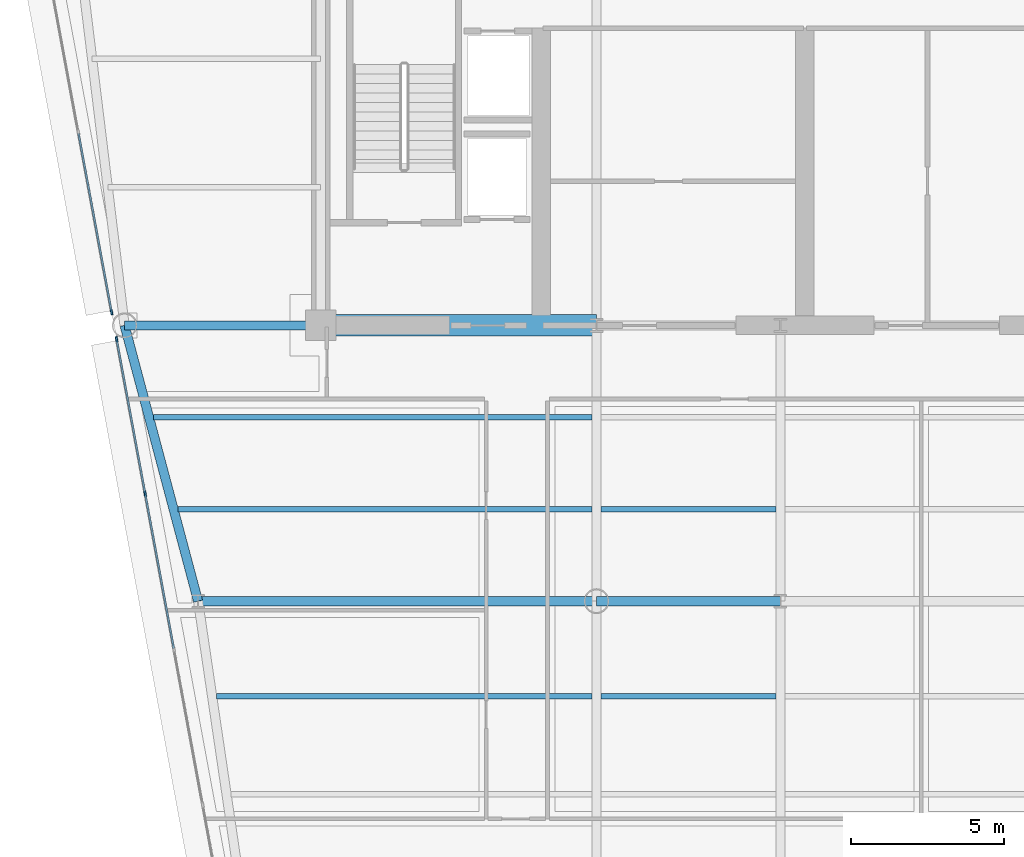
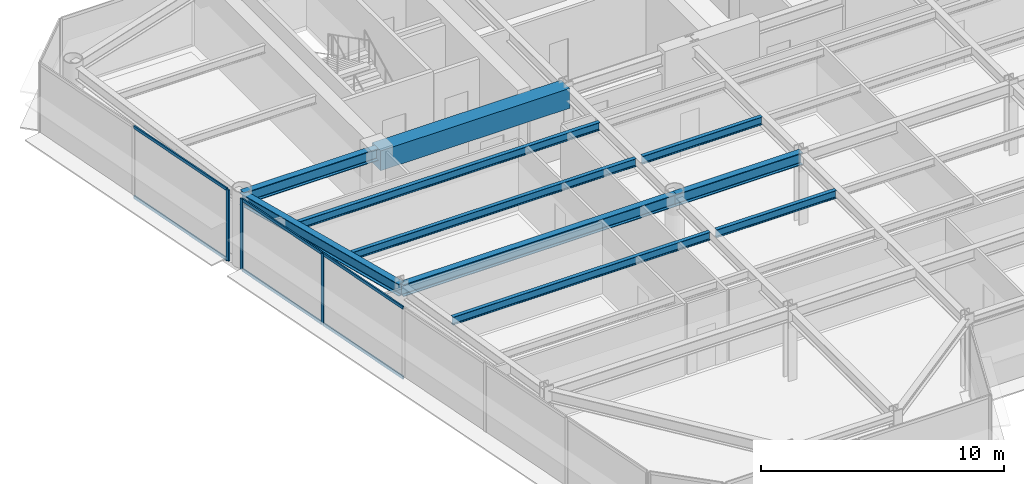
# One storey, part 4 of 16: 10 beams, 9 members, 2 elements without a shape of their own.
"""IFC4 building model written with IfcOpenShell, lengths in metres."""

from ifc_helpers import new_model, si_unit, direction, frame, origin, origin_2d, place, context, subcontext, project, spatial, rectangle, i_section, extrude, source, transform, mapped, material, layer, layer_set, material_profile, profile_set, type_object, element, aggregate, save


model = new_model("IFC4")

# Units and contexts
model_context = context("Model", 3, precision=1e-05, world=origin(), true_north=direction((0.0, 1.0)))
body_context = subcontext(model_context, "Body", "Model", "MODEL_VIEW")
ifc_project = project(units=[si_unit("LENGTHUNIT", "METRE"), si_unit("AREAUNIT", "SQUARE_METRE"), si_unit("VOLUMEUNIT", "CUBIC_METRE"), si_unit("PLANEANGLEUNIT", "RADIAN"), si_unit("MASSUNIT", "GRAM", prefix="KILO")], contexts=[model_context])

# Site, building, storey
site_placement = place(None, origin())
site = spatial("IfcSite", under=ifc_project, at=site_placement, CompositionType="ELEMENT")
building_placement = place(site_placement, origin())
building = spatial("IfcBuilding", under=site, at=building_placement, Name="Vaeldorn Concourse Tower", CompositionType="ELEMENT")
storey_placement = place(building_placement, frame((0.0, 0.0, 210.800048828125)))
storey = spatial("IfcBuildingStorey", under=building, at=storey_placement, Name="L54", CompositionType="ELEMENT", Elevation=210.800048828125)

# Beams
ifc_material_1 = material(Name="Concrete C50/60", Category="concrete")
ifc_material_profile_1 = material_profile(ifc_material_1, rectangle(XDim=0.699951171875, YDim=1.0, at=origin_2d()), Name="RC 700x1000")
ifc_profile_set_1 = profile_set([ifc_material_profile_1], Name="Concrete C50/60")
beam_type_1 = type_object("IfcBeamType", Name="BM-CB-RC700", PredefinedType="BEAM", material=ifc_profile_set_1)
shared_shape_1 = source(origin(), body_context, "Body", "SweptSolid", [
    extrude(rectangle(XDim=0.699951171875, YDim=1.0, at=origin_2d()), origin(), (0.0, 0.0, 1.0), 9.0),
])
beam_1_placement = place(storey_placement, frame((14.0, 36.5, 3.079833984375), z_axis=(1.0, 0.0, 0.0), x_axis=(0.0, 1.0, 0.0)))
element("IfcBeam", 1, at=beam_1_placement, inside=storey, type_object=beam_type_1, Name="Core Coupling Beam L54-1", PredefinedType="BEAM", context=body_context, shape_type="MappedRepresentation", body=[
    mapped(shared_shape_1, transform((0.0, 0.0, 0.0), scale=1.0)),
])
ifc_material_2 = material(Name="Steel S355", Category="steel")
ifc_material_profile_2 = material_profile(ifc_material_2, i_section(OverallWidth=0.300048828125, OverallDepth=0.60009765625, WebThickness=0.015380859375, FlangeThickness=0.030029296875, FilletRadius=0.027099609375, at=origin_2d()), Name="HEB 600")
ifc_profile_set_2 = profile_set([ifc_material_profile_2], Name="Steel S355")
beam_type_2 = type_object("IfcBeamType", Name="BM-PG-HEB600", PredefinedType="BEAM", material=ifc_profile_set_2)
shared_shape_2 = source(origin(), body_context, "Body", "SweptSolid", [
    extrude(i_section(OverallWidth=0.300048828125, OverallDepth=0.60009765625, WebThickness=0.015380859375, FlangeThickness=0.030029296875, FilletRadius=0.027099609375, at=origin_2d()), origin(), (0.0, 0.0, 1.0), 6.0),
])
beam_2_placement = place(storey_placement, frame((23.0, 27.5, 3.280029296875), z_axis=(1.0, 0.0, 0.0), x_axis=(0.0, 1.0, 0.0)))
element("IfcBeam", 2, at=beam_2_placement, inside=storey, type_object=beam_type_2, Name="Beam BM-L54-C-TW1-C-TW2", PredefinedType="BEAM", context=body_context, shape_type="MappedRepresentation", body=[
    mapped(shared_shape_2, transform((0.0, 0.0, 0.0), scale=1.0)),
])
shared_shape_3 = source(origin(), body_context, "Body", "SweptSolid", [
    extrude(i_section(OverallWidth=0.300048828125, OverallDepth=0.60009765625, WebThickness=0.015380859375, FlangeThickness=0.030029296875, FilletRadius=0.027099609375, at=origin_2d()), origin(), (0.0, 0.0, 1.0), 6.39990234375),
])
beam_3_placement = place(storey_placement, frame((7.60009765625, 36.5, 3.280029296875), z_axis=(1.0, 0.0, 0.0), x_axis=(0.0, 1.0, 0.0)))
element("IfcBeam", 3, at=beam_3_placement, inside=storey, type_object=beam_type_2, Name="Beam BM-L54-C-NW2-C-FC1", PredefinedType="BEAM", context=body_context, shape_type="MappedRepresentation", body=[
    mapped(shared_shape_3, transform((0.0, 0.0, 0.0), scale=1.0)),
])
shared_shape_4 = source(origin(), body_context, "Body", "SweptSolid", [
    extrude(i_section(OverallWidth=0.300048828125, OverallDepth=0.60009765625, WebThickness=0.015380859375, FlangeThickness=0.030029296875, FilletRadius=0.027099609375, at=origin_2d()), origin(), (0.0, 0.0, 1.0), 9.314453125),
])
beam_4_placement = place(storey_placement, frame((7.60009765625, 36.5, 3.280029296875), z_axis=(0.257652862255, -0.966237549763, 0.0), x_axis=(0.966237549763, 0.257652862255, 0.0)))
element("IfcBeam", 4, at=beam_4_placement, inside=storey, type_object=beam_type_2, Name="Beam BM-L54-C-NW2-C-FLW1", PredefinedType="BEAM", context=body_context, shape_type="MappedRepresentation", body=[
    mapped(shared_shape_4, transform((0.0, 0.0, 0.0), scale=1.0)),
])
shared_shape_5 = source(origin(), body_context, "Body", "SweptSolid", [
    extrude(i_section(OverallWidth=0.300048828125, OverallDepth=0.60009765625, WebThickness=0.015380859375, FlangeThickness=0.030029296875, FilletRadius=0.027099609375, at=origin_2d()), origin(), (0.0, 0.0, 1.0), 13.0),
])
beam_5_placement = place(storey_placement, frame((10.0, 27.5, 3.280029296875), z_axis=(1.0, 0.0, 0.0), x_axis=(0.0, 1.0, 0.0)))
element("IfcBeam", 5, at=beam_5_placement, inside=storey, type_object=beam_type_2, Name="Beam BM-L54-C-FLW1-C-TW1", PredefinedType="BEAM", context=body_context, shape_type="MappedRepresentation", body=[
    mapped(shared_shape_5, transform((0.0, 0.0, 0.0), scale=1.0)),
])
ifc_material_profile_3 = material_profile(ifc_material_2, i_section(OverallWidth=0.179931640625, OverallDepth=0.39990234375, WebThickness=0.008544921875, FlangeThickness=0.013427734375, FilletRadius=0.02099609375, at=origin_2d()), Name="IPE 400")
ifc_profile_set_3 = profile_set([ifc_material_profile_3], Name="Steel S355")
beam_type_3 = type_object("IfcBeamType", Name="BM-JS-IPE400", PredefinedType="JOIST", material=ifc_profile_set_3)
shared_shape_6 = source(origin(), body_context, "Body", "SweptSolid", [
    extrude(i_section(OverallWidth=0.179931640625, OverallDepth=0.39990234375, WebThickness=0.008544921875, FlangeThickness=0.013427734375, FilletRadius=0.02099609375, at=origin_2d()), origin(), (0.0, 0.0, 1.0), 5.7001953125),
])
for number, where, z_axis, x_axis, name in (
    (6, (23.14990234375, 24.39990234375, 3.3798828125), (1.0, 0.0, 0.0), (0.0, 1.0, 0.0), "Beam JS-L54-W2-244"),
    (7, (23.14990234375, 30.5, 3.3798828125), (1.0, 0.0, 0.0), (0.0, 1.0, 0.0), "Beam JS-L54-W2-305"),
):
    element("IfcBeam", number, at=place(storey_placement, frame(where, z_axis=z_axis, x_axis=x_axis)), inside=storey, type_object=beam_type_3, Name=name, PredefinedType="JOIST", context=body_context, shape_type="MappedRepresentation", body=[
        mapped(shared_shape_6, transform((0.0, 0.0, 0.0), scale=1.0)),
    ])
shared_shape_7 = source(origin(), body_context, "Body", "SweptSolid", [
    extrude(i_section(OverallWidth=0.179931640625, OverallDepth=0.39990234375, WebThickness=0.008544921875, FlangeThickness=0.013427734375, FilletRadius=0.02099609375, at=origin_2d()), origin(), (0.0, 0.0, 1.0), 12.243408203125),
])
beam_6_placement = place(storey_placement, frame((10.606689453125, 24.39990234375, 3.3798828125), z_axis=(1.0, 0.0, 0.0), x_axis=(0.0, 1.0, 0.0)))
element("IfcBeam", 8, at=beam_6_placement, inside=storey, type_object=beam_type_3, Name="Beam JS-L54-W1-244", PredefinedType="JOIST", context=body_context, shape_type="MappedRepresentation", body=[
    mapped(shared_shape_7, transform((0.0, 0.0, 0.0), scale=1.0)),
])
shared_shape_8 = source(origin(), body_context, "Body", "SweptSolid", [
    extrude(i_section(OverallWidth=0.179931640625, OverallDepth=0.39990234375, WebThickness=0.008544921875, FlangeThickness=0.013427734375, FilletRadius=0.02099609375, at=origin_2d()), origin(), (0.0, 0.0, 1.0), 13.5),
])
beam_7_placement = place(storey_placement, frame((9.35009765625, 30.5, 3.3798828125), z_axis=(1.0, 0.0, 0.0), x_axis=(0.0, 1.0, 0.0)))
element("IfcBeam", 9, at=beam_7_placement, inside=storey, type_object=beam_type_3, Name="Beam JS-L54-W1-305", PredefinedType="JOIST", context=body_context, shape_type="MappedRepresentation", body=[
    mapped(shared_shape_8, transform((0.0, 0.0, 0.0), scale=1.0)),
])
shared_shape_9 = source(origin(), body_context, "Body", "SweptSolid", [
    extrude(i_section(OverallWidth=0.179931640625, OverallDepth=0.39990234375, WebThickness=0.008544921875, FlangeThickness=0.013427734375, FilletRadius=0.02099609375, at=origin_2d()), origin(), (0.0, 0.0, 1.0), 14.300048828125),
])
beam_8_placement = place(storey_placement, frame((8.550048828125, 33.5, 3.3798828125), z_axis=(1.0, 0.0, 0.0), x_axis=(0.0, 1.0, 0.0)))
element("IfcBeam", 10, at=beam_8_placement, inside=storey, type_object=beam_type_3, Name="Beam JS-L54-W1-335", PredefinedType="JOIST", context=body_context, shape_type="MappedRepresentation", body=[
    mapped(shared_shape_9, transform((0.0, 0.0, 0.0), scale=1.0)),
])

# Curtain wall, member
ifc_material_3 = material(Name="Anodised Bronze Aluminium", Category="aluminium")
ifc_layer = layer(ifc_material_3, 0.18994140625)
ifc_layer_set = layer_set([ifc_layer], Name="Anodised Bronze Aluminium")
curtain_wall_type = type_object("IfcCurtainWallType", Name="CW-SYS-03", PredefinedType="NOTDEFINED", material=ifc_layer_set)
curtain_wall_1_placement = place(storey_placement, origin())
curtain_wall_1 = element("IfcCurtainWall", 11, at=curtain_wall_1_placement, inside=storey, type_object=curtain_wall_type, Name="Unitised Curtain Wall CW-L54-E11-1", PredefinedType="NOTDEFINED")
ifc_material_profile_4 = material_profile(ifc_material_3, rectangle(XDim=0.06494140625, YDim=0.169921875, at=origin_2d()), Name="CWM 65x170")
ifc_profile_set_4 = profile_set([ifc_material_profile_4], Name="Anodised Bronze Aluminium")
member_type_1 = type_object("IfcMemberType", Name="CWM-BRONZE-170", PredefinedType="MULLION", material=ifc_profile_set_4)
shared_shape_10 = source(origin(), body_context, "Body", "SweptSolid", [
    extrude(rectangle(XDim=0.06494140625, YDim=0.169921875, at=origin_2d()), origin(), (0.0, 0.0, 1.0), 3.579833984375),
])
member_1_placement = place(storey_placement, frame((7.177490234375, 36.927490234375, 0.0), z_axis=(0.0, 0.0, 1.0), x_axis=(0.983319270992, 0.181887908602, 0.0)))
member_1 = element("IfcMember", 12, at=member_1_placement, type_object=member_type_1, Name="CW-03 mullion 3", PredefinedType="MULLION", context=body_context, shape_type="MappedRepresentation", body=[
    mapped(shared_shape_10, transform((0.0, 0.0, 0.0), scale=1.0)),
])

# Curtain wall, members
curtain_wall_2_placement = place(storey_placement, origin())
curtain_wall_2 = element("IfcCurtainWall", 13, at=curtain_wall_2_placement, inside=storey, type_object=curtain_wall_type, Name="Unitised Curtain Wall CW-L54-E11-2", PredefinedType="NOTDEFINED")
member_2_placement = place(storey_placement, frame((7.339599609375, 36.051513671875, 0.0), z_axis=(0.0, 0.0, 1.0), x_axis=(0.983319079021, 0.181888946432, 0.0)))
member_2 = element("IfcMember", 14, at=member_2_placement, type_object=member_type_1, Name="CW-03 mullion 1", PredefinedType="MULLION", context=body_context, shape_type="MappedRepresentation", body=[
    mapped(shared_shape_10, transform((0.0, 0.0, 0.0), scale=1.0)),
])
member_3_placement = place(storey_placement, frame((8.272705078125, 31.0068359375, 0.0), z_axis=(0.0, 0.0, 1.0), x_axis=(0.983319079021, 0.181888946432, 0.0)))
member_3 = element("IfcMember", 15, at=member_3_placement, type_object=member_type_1, Name="CW-03 mullion 2", PredefinedType="MULLION", context=body_context, shape_type="MappedRepresentation", body=[
    mapped(shared_shape_10, transform((0.0, 0.0, 0.0), scale=1.0)),
])
ifc_material_profile_5 = material_profile(ifc_material_3, rectangle(XDim=0.06494140625, YDim=0.14990234375, at=origin_2d()), Name="CWT 65x150")
ifc_profile_set_5 = profile_set([ifc_material_profile_5], Name="Anodised Bronze Aluminium")
member_type_2 = type_object("IfcMemberType", Name="CWT-BRONZE-150", PredefinedType="USERDEFINED", material=ifc_profile_set_5)
shared_shape_11 = source(origin(), body_context, "Body", "SweptSolid", [
    extrude(rectangle(XDim=0.06494140625, YDim=0.14990234375, at=origin_2d()), origin(), (0.0, 0.0, 1.0), 5.065185546875),
])
member_4_placement = place(storey_placement, frame((7.345458984375, 36.01953125, 0.032470703125), z_axis=(0.181904577794, -0.983316187489, 0.0), x_axis=(0.983316187489, 0.181904577794, 0.0)))
member_4 = element("IfcMember", 16, at=member_4_placement, type_object=member_type_2, Name="CW-03 transom 1.1", ObjectType="TRANSOM", PredefinedType="USERDEFINED", context=body_context, shape_type="MappedRepresentation", body=[
    mapped(shared_shape_11, transform((0.0, 0.0, 0.0), scale=1.0)),
])
member_5_placement = place(storey_placement, frame((7.345458984375, 36.01953125, 3.54736328125), z_axis=(0.181904577794, -0.983316187489, 0.0), x_axis=(0.983316187489, 0.181904577794, 0.0)))
member_5 = element("IfcMember", 17, at=member_5_placement, type_object=member_type_2, Name="CW-03 transom 1.2", ObjectType="TRANSOM", PredefinedType="USERDEFINED", context=body_context, shape_type="MappedRepresentation", body=[
    mapped(shared_shape_11, transform((0.0, 0.0, 0.0), scale=1.0)),
])
shared_shape_12 = source(origin(), body_context, "Body", "SweptSolid", [
    extrude(rectangle(XDim=0.06494140625, YDim=0.14990234375, at=origin_2d()), origin(), (0.0, 0.0, 1.0), 5.09765625),
])
member_6_placement = place(storey_placement, frame((8.278564453125, 30.974853515625, 0.032470703125), z_axis=(0.181893750584, -0.983318190363, 0.0), x_axis=(0.983318190363, 0.181893750584, 0.0)))
member_6 = element("IfcMember", 18, at=member_6_placement, type_object=member_type_2, Name="CW-03 transom 2.1", ObjectType="TRANSOM", PredefinedType="USERDEFINED", context=body_context, shape_type="MappedRepresentation", body=[
    mapped(shared_shape_12, transform((0.0, 0.0, 0.0), scale=1.0)),
])
member_7_placement = place(storey_placement, frame((8.278564453125, 30.974853515625, 3.54736328125), z_axis=(0.181893750584, -0.983318190363, 0.0), x_axis=(0.983318190363, 0.181893750584, 0.0)))
member_7 = element("IfcMember", 19, at=member_7_placement, type_object=member_type_2, Name="CW-03 transom 2.2", ObjectType="TRANSOM", PredefinedType="USERDEFINED", context=body_context, shape_type="MappedRepresentation", body=[
    mapped(shared_shape_12, transform((0.0, 0.0, 0.0), scale=1.0)),
])
aggregate(curtain_wall_2, [member_2, member_3, member_4, member_5, member_6, member_7])

# Member
shared_shape_13 = source(origin(), body_context, "Body", "SweptSolid", [
    extrude(rectangle(XDim=0.06494140625, YDim=0.14990234375, at=origin_2d()), origin(), (0.0, 0.0, 1.0), 5.90478515625),
])
member_8_placement = place(storey_placement, frame((6.09765625, 42.765869140625, 0.032470703125), z_axis=(0.181879018898, -0.983320915309, 0.0), x_axis=(0.983320915309, 0.181879018898, 0.0)))
member_8 = element("IfcMember", 20, at=member_8_placement, type_object=member_type_2, Name="CW-03 transom 2.1", ObjectType="TRANSOM", PredefinedType="USERDEFINED", context=body_context, shape_type="MappedRepresentation", body=[
    mapped(shared_shape_13, transform((0.0, 0.0, 0.0), scale=1.0)),
])

member_9_placement = place(storey_placement, frame((6.09765625, 42.765869140625, 3.54736328125), z_axis=(0.181879018898, -0.983320915309, 0.0), x_axis=(0.983320915309, 0.181879018898, 0.0)))
member_9 = element("IfcMember", 21, at=member_9_placement, type_object=member_type_2, Name="CW-03 transom 2.2", ObjectType="TRANSOM", PredefinedType="USERDEFINED", context=body_context, shape_type="MappedRepresentation", body=[
    mapped(shared_shape_13, transform((0.0, 0.0, 0.0), scale=1.0)),
])

aggregate(curtain_wall_1, [member_1, member_8, member_9])

save(model, "model.ifc")
